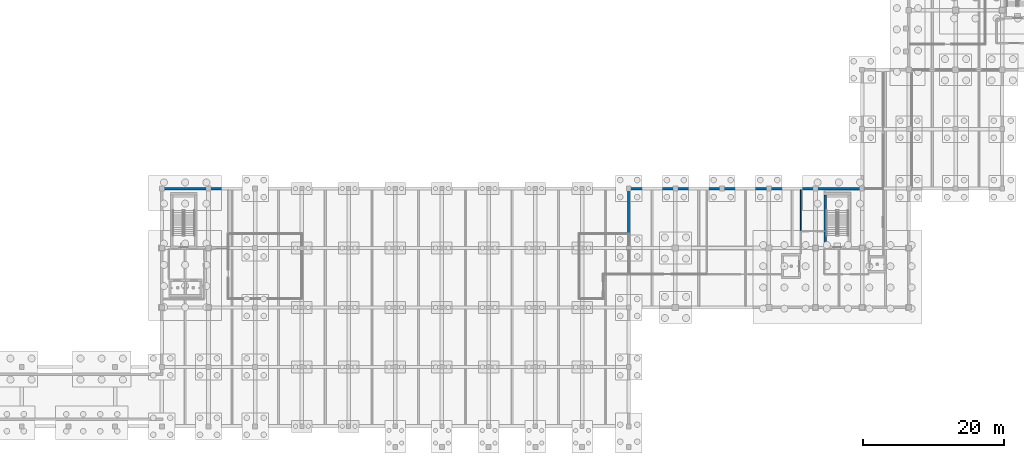
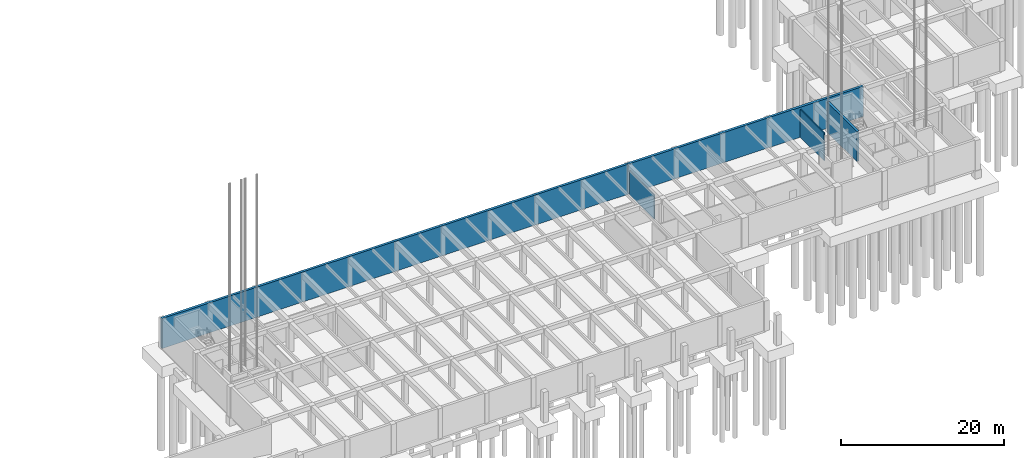
# One storey, part 35 of 44: 5 walls.
"""IFC4 building model written with IfcOpenShell, lengths in metres."""

from ifc_helpers import new_model, si_unit, direction, frame, frame_2d, origin, place, context, subcontext, project, spatial, rectangle, extrude, material, layer, layer_set, type_object, element, save


model = new_model("IFC4")

# Units and contexts
model_context = context("Model", 3, precision=1e-05, world=origin(), true_north=direction((0.0, 1.0)))
body_context = subcontext(model_context, "Body", "Model", "MODEL_VIEW")
ifc_project = project(units=[si_unit("LENGTHUNIT", "METRE"), si_unit("AREAUNIT", "SQUARE_METRE"), si_unit("VOLUMEUNIT", "CUBIC_METRE"), si_unit("PLANEANGLEUNIT", "RADIAN"), si_unit("MASSUNIT", "GRAM", prefix="KILO")], contexts=[model_context])

# Site, building, storey
site_placement = place(None, origin())
site = spatial("IfcSite", under=ifc_project, at=site_placement, CompositionType="ELEMENT")
building_placement = place(site_placement, origin())
building = spatial("IfcBuilding", under=site, at=building_placement, Name="Kolvaren Faculty of Natural Sciences", CompositionType="ELEMENT")
storey_placement = place(building_placement, frame((0.0, 0.0, -4.5)))
storey = spatial("IfcBuildingStorey", under=building, at=storey_placement, Name="B01", CompositionType="ELEMENT", Elevation=-4.5)

# Walls
ifc_material_1 = material(Name="Concrete C35/45", Category="concrete")
ifc_layer_1 = layer(ifc_material_1, 0.35009765625)
ifc_layer_set_1 = layer_set([ifc_layer_1], Name="Concrete C35/45")
wall_type_1 = type_object("IfcWallType", Name="BasementRetainingWall_350", PredefinedType="SOLIDWALL", material=ifc_layer_set_1)
wall_1_placement = place(storey_placement, frame((33.02490234375, 42.199951171875, 0.0), z_axis=(0.0, 0.0, 1.0), x_axis=(1.0, 0.0, 0.0)))
element("IfcWall", 1, at=wall_1_placement, inside=storey, type_object=wall_type_1, Name="B01 perimeter reinforced concrete retaining wall 2", PredefinedType="SOLIDWALL", context=body_context, shape_type="SweptSolid", body=[
    extrude(rectangle(XDim=66.35009765625, YDim=0.35009765625, at=frame_2d((33.175048828125, 0.0))), origin(), (0.0, 0.0, 1.0), 4.5),
])
wall_2_placement = place(storey_placement, frame((99.02490234375, 42.199951171875, 0.0), z_axis=(0.0, 0.0, 1.0), x_axis=(1.0, 0.0, 0.0)))
element("IfcWall", 2, at=wall_2_placement, inside=storey, type_object=wall_type_1, Name="B01 perimeter reinforced concrete retaining wall 3", PredefinedType="SOLIDWALL", context=body_context, shape_type="SweptSolid", body=[
    extrude(rectangle(XDim=33.35009765625, YDim=0.35009765625, at=frame_2d((16.675048828125, 0.0))), origin(), (0.0, 0.0, 1.0), 4.5),
])
ifc_material_2 = material(Name="Concrete C40/50", Category="concrete")
ifc_layer_2 = layer(ifc_material_2, 0.35009765625)
ifc_layer_set_2 = layer_set([ifc_layer_2], Name="Concrete C40/50")
wall_type_2 = type_object("IfcWallType", Name="CoreShearWall_350", PredefinedType="SHEAR", material=ifc_layer_set_2)
wall_3_placement = place(storey_placement, frame((127.0, 34.050048828125, 0.0), z_axis=(0.0, 0.0, 1.0), x_axis=(0.0, 1.0, 0.0)))
element("IfcWall", 3, at=wall_3_placement, inside=storey, type_object=wall_type_2, Name="B01 CORE-C3 stair shear wall W", PredefinedType="SHEAR", context=body_context, shape_type="SweptSolid", body=[
    extrude(rectangle(XDim=7.27490234375, YDim=0.35009765625, at=frame_2d((3.637451171875, 0.0))), origin(), (0.0, 0.0, 1.0), 4.5),
])
ifc_material_3 = material(Name="Acoustic mineral-wool insulated gypsum partition")
ifc_layer_3 = layer(ifc_material_3, 0.1298828125)
ifc_layer_set_3 = layer_set([ifc_layer_3], Name="Acoustic mineral-wool insulated gypsum partition")
wall_type_3 = type_object("IfcWallType", Name="OfficePartitionWall_130", PredefinedType="PARTITIONING", material=ifc_layer_set_3)
wall_4_placement = place(storey_placement, frame((99.199951171875, 35.800048828125, 0.0), z_axis=(0.0, 0.0, 1.0), x_axis=(0.0, 1.0, 0.0)))
element("IfcWall", 4, at=wall_4_placement, inside=storey, type_object=wall_type_3, Name="B01 interior partition PW-130", PredefinedType="PARTITIONING", context=body_context, shape_type="SweptSolid", body=[
    extrude(rectangle(XDim=6.050048828125, YDim=0.1298828125, at=frame_2d((3.02490234375, 0.0))), origin(), (0.0, 0.0, 1.0), 3.635009765625),
])
ifc_material_4 = material(Name="Double fire-rated gypsum board on 100 mm steel stud", Category="steel")
ifc_layer_4 = layer(ifc_material_4, 0.14990234375)
ifc_layer_set_4 = layer_set([ifc_layer_4], Name="Double fire-rated gypsum board on 100 mm steel stud")
wall_type_4 = type_object("IfcWallType", Name="RatedCorridorWall_150", PredefinedType="PARTITIONING", material=ifc_layer_set_4)
wall_5_placement = place(storey_placement, frame((123.5, 42.02294921875, 0.0), z_axis=(0.0, 0.0, 1.0), x_axis=(0.0, -1.0, 0.0)))
element("IfcWall", 5, at=wall_5_placement, inside=storey, type_object=wall_type_4, Name="B01 interior partition LW-150", PredefinedType="PARTITIONING", context=body_context, shape_type="SweptSolid", body=[
    extrude(rectangle(XDim=5.822998046875, YDim=0.14990234375, at=frame_2d((2.91162109375, 0.0))), origin(), (0.0, 0.0, 1.0), 4.175048828125),
])

save(model, "model.ifc")
